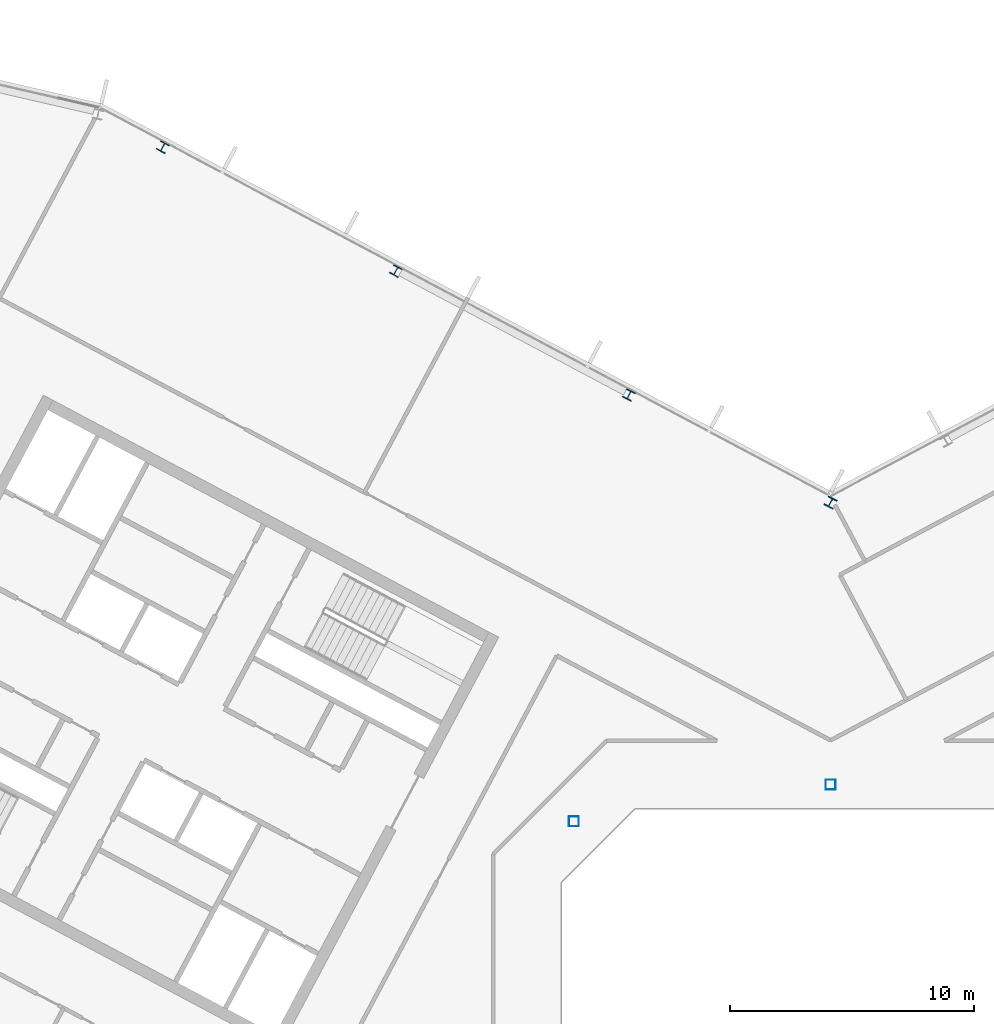
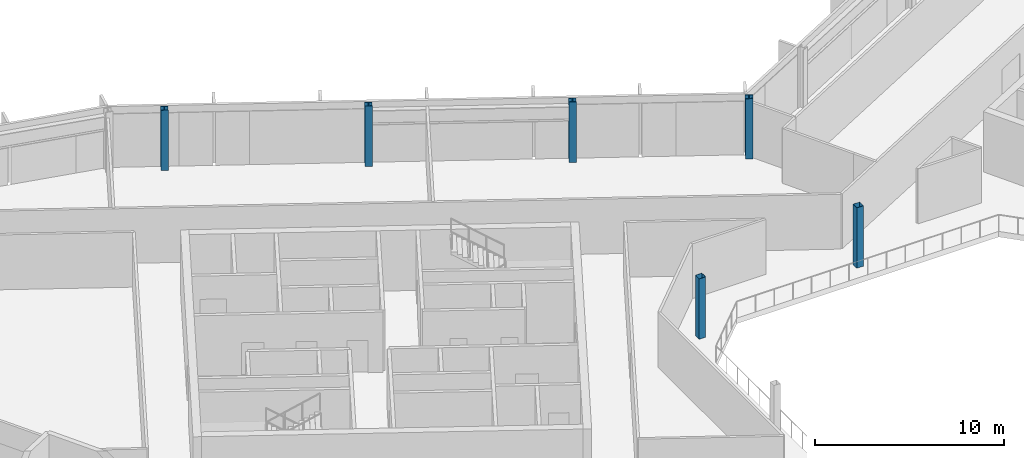
# One storey, part 4 of 25: 6 columns.
"""IFC4 building model written with IfcOpenShell, lengths in metres."""

import ifcopenshell
import ifcopenshell.guid

model = None  # the IFC model being written
_history = None  # IfcOwnerHistory: only IFC2X3 demands one
_inside = {}  # id of a spatial element -> (the spatial element, [elements in it])
_under = {}  # id of a project, library or spatial element -> (it, [spatial elements below it])
_declared = {}  # id of a project -> (the project, [libraries it declares])
_typed = {}  # id of a type object -> (the type object, [elements of that type])
_made_of = {}  # id of a material, layer set ... -> (it, [elements and type objects made of it])


def new_model(schema):
    """Start an empty IFC model of exactly this schema.

    Asked for "IFC4X3", IfcOpenShell would pick the latest addendum, in which some entities
    have other attributes; the version numbers below select the first issue.
    IFC2X3 requires an IfcOwnerHistory on every rooted entity: one is made here for all.
    """
    global model, _history
    if schema == "IFC4X3":
        model = ifcopenshell.file(schema_version=(4, 3, 0, 0))
    else:
        model = ifcopenshell.file(schema=schema)
    _inside.clear()
    _under.clear()
    _declared.clear()
    _typed.clear()
    _made_of.clear()
    _history = None
    if model.schema == "IFC2X3":
        org = make("IfcOrganization", Name="unknown")
        user = make(
            "IfcPersonAndOrganization",
            ThePerson=make("IfcPerson", FamilyName="unknown"),
            TheOrganization=org,
        )
        app = make(
            "IfcApplication",
            ApplicationDeveloper=org,
            Version="unknown",
            ApplicationFullName="unknown",
            ApplicationIdentifier="unknown",
        )
        _history = make(
            "IfcOwnerHistory",
            OwningUser=user,
            OwningApplication=app,
            ChangeAction="ADDED",
            CreationDate=0,
        )
    return model


def make(cls, **values):
    """One entity of the class cls with the attributes given. An attribute that is None is left unset."""
    return model.create_entity(
        cls, **{name: value for name, value in values.items() if value is not None}
    )


def rooted(cls, **values):
    """An entity with a GlobalId (a new one), such as an element, a storey or a relation."""
    return make(cls, GlobalId=ifcopenshell.guid.new(), OwnerHistory=_history, **values)


def si_unit(unit_type, name, prefix=None):
    """IfcSIUnit, for example si_unit("LENGTHUNIT", "METRE", prefix="MILLI")."""
    return make("IfcSIUnit", UnitType=unit_type, Prefix=prefix, Name=name)


def assignment(units):
    """IfcUnitAssignment: the units of a project."""
    return None if units is None else make("IfcUnitAssignment", Units=units)


def point(xyz):
    """IfcCartesianPoint."""
    return None if xyz is None else make("IfcCartesianPoint", Coordinates=xyz)


def direction(xyz):
    """IfcDirection."""
    return None if xyz is None else make("IfcDirection", DirectionRatios=xyz)


def frame(location, z_axis=None, x_axis=None):
    """IfcAxis2Placement3D, a coordinate frame: its origin and axes. An axis left out is left unset."""
    return make(
        "IfcAxis2Placement3D",
        Location=point(location),
        Axis=direction(z_axis),
        RefDirection=direction(x_axis),
    )


def frame_2d(location, x_axis=None):
    """IfcAxis2Placement2D, a coordinate frame in the plane: its origin and x axis."""
    return make(
        "IfcAxis2Placement2D", Location=point(location), RefDirection=direction(x_axis)
    )


def origin():
    """The frame at (0, 0, 0) with its axes left unset."""
    return frame((0.0, 0.0, 0.0))


def origin_2d():
    """The frame at (0, 0) in the plane with its x axis left unset."""
    return frame_2d((0.0, 0.0))


def place(relative_to, where):
    """IfcLocalPlacement: puts the frame where relative to a parent placement (None: the world)."""
    return make(
        "IfcLocalPlacement", PlacementRelTo=relative_to, RelativePlacement=where
    )


def context(
    kind, dimensions, precision=None, world=None, true_north=None, identifier=None
):
    """IfcGeometricRepresentationContext, for example the 3D "Model" context."""
    return make(
        "IfcGeometricRepresentationContext",
        ContextIdentifier=identifier,
        ContextType=kind,
        CoordinateSpaceDimension=dimensions,
        Precision=precision,
        WorldCoordinateSystem=world,
        TrueNorth=true_north,
    )


def subcontext(parent, identifier, kind, view, scale=None):
    """IfcGeometricRepresentationSubContext, for example "Body" below "Model"."""
    return make(
        "IfcGeometricRepresentationSubContext",
        ContextIdentifier=identifier,
        ContextType=kind,
        ParentContext=parent,
        TargetScale=scale,
        TargetView=view,
    )


def project(units=None, contexts=None):
    """IfcProject with its units and contexts."""
    return rooted(
        "IfcProject",
        Name="project",
        RepresentationContexts=contexts,
        UnitsInContext=assignment(units),
    )


def spatial(cls, under=None, at=None, **own):
    """A site, building, storey or space (cls), placed at a placement, below another one or the project."""
    s = rooted(cls, ObjectPlacement=at, **own)
    if under is not None:
        _under.setdefault(under.id(), (under, []))[1].append(s)
    return s


def profile(cls, at=None, kind="AREA", **sizes):
    """A parametric profile (cls). Its sizes go by their IFC names, for example OverallWidth=200.0."""
    return make(cls, ProfileType=kind, Position=at, **sizes)


def hollow_rectangle(**sizes):
    """IfcRectangleHollowProfileDef."""
    return profile("IfcRectangleHollowProfileDef", **sizes)


def i_section(**sizes):
    """IfcIShapeProfileDef."""
    return profile("IfcIShapeProfileDef", **sizes)


def extrude(swept, where, along, depth):
    """IfcExtrudedAreaSolid: the profile swept, set in the frame where, extruded along a direction by depth."""
    return make(
        "IfcExtrudedAreaSolid",
        SweptArea=swept,
        Position=where,
        ExtrudedDirection=direction(along),
        Depth=depth,
    )


def shape(context_of_items, identifier, shape_type, items):
    """IfcShapeRepresentation: the items that make up one representation, for example the "Body"."""
    return make(
        "IfcShapeRepresentation",
        ContextOfItems=context_of_items,
        RepresentationIdentifier=identifier,
        RepresentationType=shape_type,
        Items=items,
    )


def material(Name=None, Category=None):
    """IfcMaterial."""
    return make("IfcMaterial", Name=Name, Category=Category)


def material_profile(
    of_material, cross_section, Name=None, Category=None, Priority=None
):
    """IfcMaterialProfile: a cross section and its material."""
    return make(
        "IfcMaterialProfile",
        Name=Name,
        Material=of_material,
        Profile=cross_section,
        Priority=Priority,
        Category=Category,
    )


def profile_set(profiles, Name=None, composite=None):
    """IfcMaterialProfileSet."""
    return make(
        "IfcMaterialProfileSet",
        Name=Name,
        MaterialProfiles=profiles,
        CompositeProfile=composite,
    )


def made_of(thing, what):
    """Note that an element or type object is made of a material, layer set ...; save() writes the relation."""
    if what is not None:
        _made_of.setdefault(what.id(), (what, []))[1].append(thing)
    return thing


def type_object(cls, material=None, **own):
    """A type object (cls), such as IfcWallType, which elements share."""
    return made_of(rooted(cls, **own), material)


def element(
    cls,
    number,
    at=None,
    inside=None,
    cuts=None,
    type_object=None,
    material=None,
    context=None,
    identifier="Body",
    shape_type=None,
    held_by="IfcProductDefinitionShape",
    body=None,
    shapes=None,
    **own,
):
    """One element of the class cls, such as IfcWall. Its Tag is "e" and its number.

    at: its placement. inside: the storey or other place that contains it. cuts: it is an
    opening in that element (IfcRelVoidsElement). A single representation is given by context,
    identifier, shape_type and body (its items); several are given by shapes. held_by: the class
    of the entity that holds the representations. save() writes the other relations.
    """
    e = rooted(cls, Tag="e%d" % number, ObjectPlacement=at, **own)
    if body is not None:
        shapes = [shape(context, identifier, shape_type, body)]
    if shapes is not None:
        e.Representation = make(held_by, Representations=shapes)
    if inside is not None:
        _inside.setdefault(inside.id(), (inside, []))[1].append(e)
    if cuts is not None:
        rooted(
            "IfcRelVoidsElement", RelatingBuildingElement=cuts, RelatedOpeningElement=e
        )
    if type_object is not None:
        _typed.setdefault(type_object.id(), (type_object, []))[1].append(e)
    return made_of(e, material)


def aggregate(whole, parts):
    """IfcRelAggregates: a whole, such as a stair, and the parts it consists of."""
    return rooted("IfcRelAggregates", RelatingObject=whole, RelatedObjects=parts)


def save(model, path):
    """Write the relations noted so far, then the file.

    IfcRelAggregates (storeys below a building ...), IfcRelContainedInSpatialStructure (elements
    in a storey), IfcRelDefinesByType, IfcRelAssociatesMaterial and IfcRelDeclares: one each for
    every whole, place, type object, material and project.
    """
    for whole, parts in _under.values():
        aggregate(whole, parts)
    for where, things in _inside.values():
        rooted(
            "IfcRelContainedInSpatialStructure",
            RelatedElements=things,
            RelatingStructure=where,
        )
    for kind, things in _typed.values():
        rooted("IfcRelDefinesByType", RelatedObjects=things, RelatingType=kind)
    for what, things in _made_of.values():
        rooted("IfcRelAssociatesMaterial", RelatedObjects=things, RelatingMaterial=what)
    for by, libraries in _declared.values():
        rooted("IfcRelDeclares", RelatingContext=by, RelatedDefinitions=libraries)
    model.write(path)


model = new_model("IFC4")

# Units and contexts
model_context = context("Model", 3, precision=1e-05, world=origin(), true_north=direction((0.0, 1.0)))
body_context = subcontext(model_context, "Body", "Model", "MODEL_VIEW")
ifc_project = project(units=[si_unit("LENGTHUNIT", "METRE"), si_unit("AREAUNIT", "SQUARE_METRE"), si_unit("VOLUMEUNIT", "CUBIC_METRE"), si_unit("PLANEANGLEUNIT", "RADIAN"), si_unit("MASSUNIT", "GRAM", prefix="KILO")], contexts=[model_context])

# Site, building, storey
site_placement = place(None, origin())
site = spatial("IfcSite", under=ifc_project, at=site_placement, CompositionType="ELEMENT")
building_placement = place(site_placement, origin())
building = spatial("IfcBuilding", under=site, at=building_placement, Name="Cormorant Relay Tower", CompositionType="ELEMENT")
storey_placement = place(building_placement, frame((0.0, 0.0, 281.39990234375)))
storey = spatial("IfcBuildingStorey", under=building, at=storey_placement, Name="L63", CompositionType="ELEMENT", Elevation=281.39990234375)

# Columns
ifc_material_1 = material(Name="Steel ASTM A500 Grade C (Fy 345 MPa)", Category="steel")
ifc_material_profile_1 = material_profile(ifc_material_1, hollow_rectangle(XDim=0.406494140625, YDim=0.406494140625, WallThickness=0.0087890625, InnerFilletRadius=0.00439453125, OuterFilletRadius=0.01318359375, at=origin_2d()), Name="HSS406x406x9")
ifc_profile_set_1 = profile_set([ifc_material_profile_1], Name="Steel ASTM A500 Grade C (Fy 345 MPa)")
column_type_1 = type_object("IfcColumnType", Name="Column HSS406x406x9", PredefinedType="COLUMN", material=ifc_profile_set_1)
for number, where, z_axis, x_axis, name in (
    (1, (-10.5, 10.5, 0.0), (0.0, 0.0, 1.0), (1.0, 0.0, 0.0), "Column L63-023"),
    (2, (0.0, 12.0, 0.0), (0.0, 0.0, 1.0), (1.0, 0.0, 0.0), "Column L63-025"),
):
    element("IfcColumn", number, at=place(storey_placement, frame(where, z_axis=z_axis, x_axis=x_axis)), inside=storey, type_object=column_type_1, Name=name, PredefinedType="COLUMN", context=body_context, shape_type="SweptSolid", body=[
        extrude(hollow_rectangle(XDim=0.406494140625, YDim=0.406494140625, WallThickness=0.0087890625, InnerFilletRadius=0.00439453125, OuterFilletRadius=0.01318359375, at=origin_2d()), origin(), (0.0, 0.0, 1.0), 3.900146484375),
    ])
ifc_material_2 = material(Name="Steel ASTM A992 (Fy 345 MPa)", Category="steel")
ifc_material_profile_2 = material_profile(ifc_material_2, i_section(OverallWidth=0.398681640625, OverallDepth=0.385986328125, WebThickness=0.02099609375, FlangeThickness=0.033203125, FilletRadius=0.01513671875, at=origin_2d()), Name="W360x262")
ifc_profile_set_2 = profile_set([ifc_material_profile_2], Name="Steel ASTM A992 (Fy 345 MPa)")
column_type_2 = type_object("IfcColumnType", Name="Column W360x262", PredefinedType="COLUMN", material=ifc_profile_set_2)
for number, where, z_axis, x_axis, name in (
    (3, (-8.2470703125, 27.943115234375, 0.0), (0.0, 0.0, 1.0), (-0.882947592859, 0.469471562786, 0.0), "Column L63-032"),
    (4, (-17.782958984375, 33.012939453125, 0.0), (0.0, 0.0, 1.0), (-0.882947592859, 0.469471562786, 0.0), "Column L63-036"),
    (5, (-27.319091796875, 38.0830078125, 0.0), (0.0, 0.0, 1.0), (-0.882947592859, 0.469471562786, 0.0), "Column L63-040"),
):
    element("IfcColumn", number, at=place(storey_placement, frame(where, z_axis=z_axis, x_axis=x_axis)), inside=storey, type_object=column_type_2, Name=name, PredefinedType="COLUMN", context=body_context, shape_type="SweptSolid", body=[
        extrude(i_section(OverallWidth=0.398681640625, OverallDepth=0.385986328125, WebThickness=0.02099609375, FlangeThickness=0.033203125, FilletRadius=0.01513671875, at=origin_2d()), origin(), (0.0, 0.0, 1.0), 3.900146484375),
    ])
ifc_material_3 = material(Name="Steel ASTM A992 (Fy 345 MPa)", Category="steel")
ifc_material_profile_3 = material_profile(ifc_material_3, i_section(OverallWidth=0.40380859375, OverallDepth=0.406494140625, WebThickness=0.027099609375, FlangeThickness=0.043701171875, FilletRadius=0.01513671875, at=origin_2d()), Name="W360x347")
ifc_profile_set_3 = profile_set([ifc_material_profile_3], Name="Steel ASTM A992 (Fy 345 MPa)")
column_type_3 = type_object("IfcColumnType", Name="Column W360x347", PredefinedType="COLUMN", material=ifc_profile_set_3)
column_placement = place(storey_placement, frame((0.0, 23.5439453125, 0.0), z_axis=(0.0, 0.0, 1.0), x_axis=(-0.882947592859, 0.469471562786, 0.0)))
element("IfcColumn", 6, at=column_placement, inside=storey, type_object=column_type_3, Name="Column L63-029", PredefinedType="COLUMN", context=body_context, shape_type="SweptSolid", body=[
    extrude(i_section(OverallWidth=0.40380859375, OverallDepth=0.406494140625, WebThickness=0.027099609375, FlangeThickness=0.043701171875, FilletRadius=0.01513671875, at=origin_2d()), origin(), (0.0, 0.0, 1.0), 3.900146484375),
])

save(model, "model.ifc")
